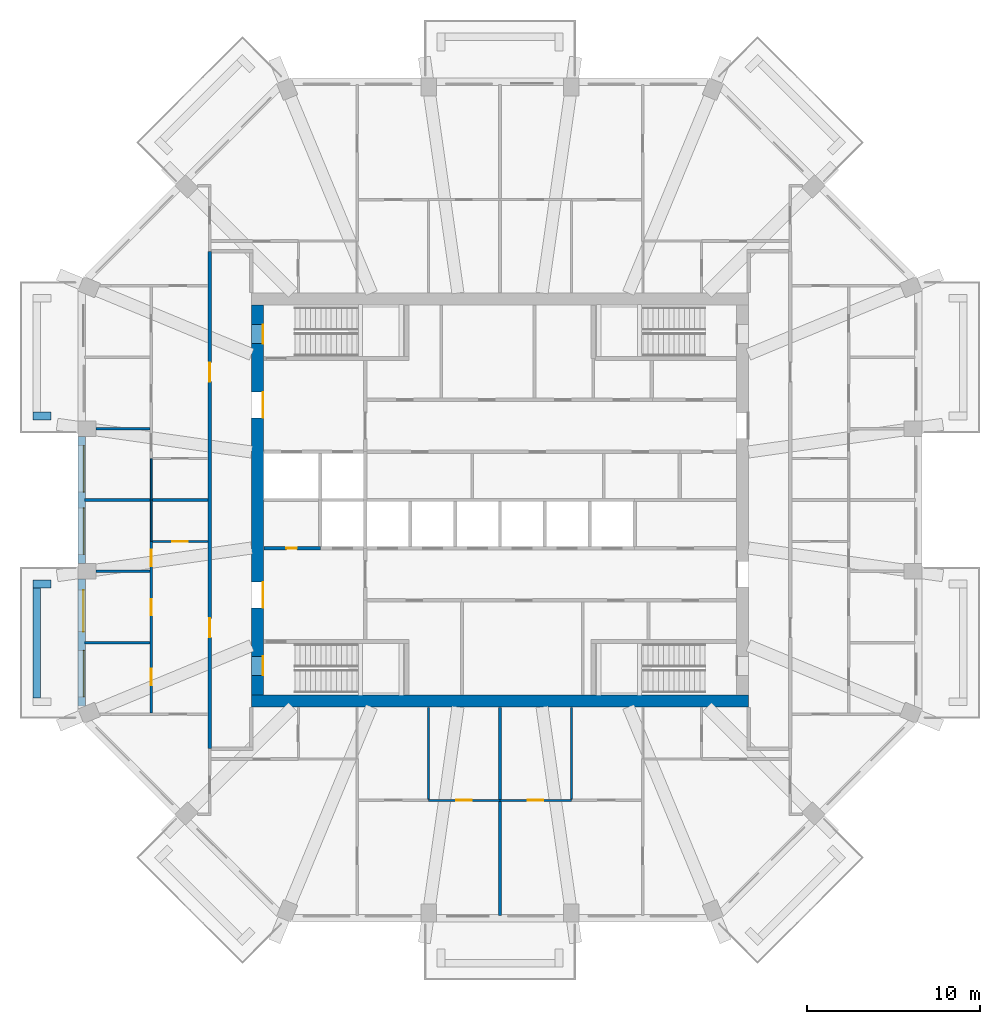
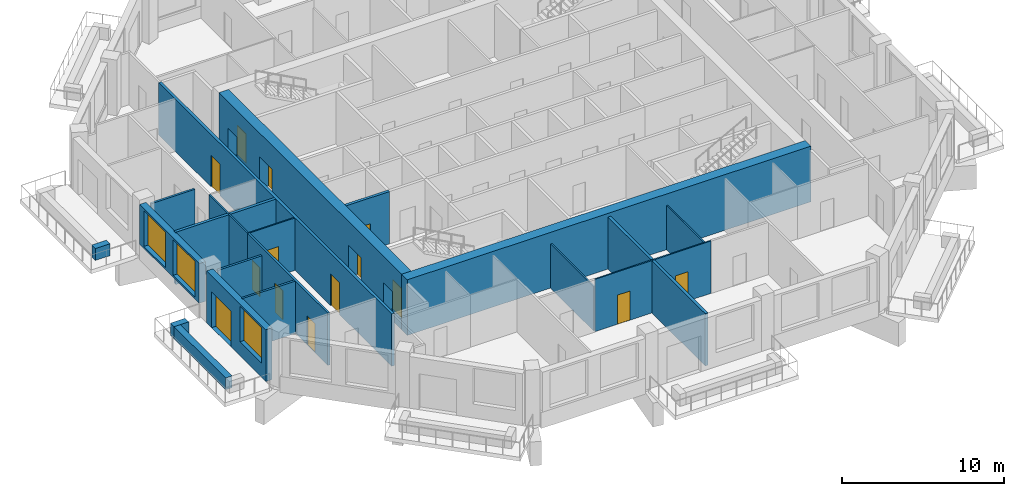
# One storey, part 3 of 12: 22 walls, 14 doors, 3 windows, 17 openings.
"""IFC4 building model written with IfcOpenShell, lengths in metres."""

from ifc_helpers import new_model, si_unit, direction, frame, frame_2d, origin, place, context, subcontext, project, spatial, rectangle, extrude, material, layer, layer_set, type_object, element, fill, save


model = new_model("IFC4")

# Units and contexts
model_context = context("Model", 3, precision=1e-05, world=origin(), true_north=direction((0.0, 1.0)))
body_context = subcontext(model_context, "Body", "Model", "MODEL_VIEW")
ifc_project = project(units=[si_unit("LENGTHUNIT", "METRE"), si_unit("AREAUNIT", "SQUARE_METRE"), si_unit("VOLUMEUNIT", "CUBIC_METRE"), si_unit("PLANEANGLEUNIT", "RADIAN"), si_unit("MASSUNIT", "GRAM", prefix="KILO")], contexts=[model_context])

# Site, building, storey
site_placement = place(None, origin())
site = spatial("IfcSite", under=ifc_project, at=site_placement, CompositionType="ELEMENT")
building_placement = place(site_placement, origin())
building = spatial("IfcBuilding", under=site, at=building_placement, Name="Msitu Wima Residences", CompositionType="ELEMENT")
storey_placement = place(building_placement, frame((0.0, 0.0, 162.300048828125)))
storey = spatial("IfcBuildingStorey", under=building, at=storey_placement, Name="L37", CompositionType="ELEMENT", Elevation=162.300048828125)

# Walls
ifc_material_1 = material(Name="Facing brick")
ifc_layer_1 = layer(ifc_material_1, 0.06494140625, Name="Facing brick")
ifc_material_2 = material(Name="Concrete C40/50", Category="concrete")
ifc_layer_2 = layer(ifc_material_2, 0.156005859375, Name="Concrete C40/50")
ifc_material_3 = material(Name="Waterproofing membrane")
ifc_layer_3 = layer(ifc_material_3, 0.00390625, Name="Waterproofing membrane")
ifc_material_4 = material(Name="Planting soil and planting")
ifc_layer_4 = layer(ifc_material_4, 0.22509765625, Name="Planting soil and planting")
ifc_layer_set_1 = layer_set([ifc_layer_1, ifc_layer_2, ifc_layer_3, ifc_layer_4], Name="Concrete C40/50")
wall_type_1 = type_object("IfcWallType", Name="Balcony planter PLANTER PL450", PredefinedType="USERDEFINED", material=ifc_layer_set_1)
wall_1_placement = place(storey_placement, frame((-26.0, 4.8623046875, 0.0), z_axis=(0.0, 0.0, 1.0), x_axis=(-1.0, 0.0, 0.0)))
element("IfcWall", 1, at=wall_1_placement, inside=storey, type_object=wall_type_1, Name="Balcony planter W0 L37", ObjectType="PLANTER", PredefinedType="USERDEFINED", context=body_context, shape_type="SweptSolid", body=[
    extrude(rectangle(XDim=1.050048828125, YDim=0.449951171875, at=frame_2d((0.52490234375, 0.0))), origin(), (0.0, 0.0, 1.0), 0.89990234375),
])
wall_2_placement = place(storey_placement, frame((-26.824951171875, -5.087158203125, 0.0), z_axis=(0.0, 0.0, 1.0), x_axis=(0.0, -1.0, 0.0)))
element("IfcWall", 2, at=wall_2_placement, inside=storey, type_object=wall_type_1, Name="Balcony planter W2 L37", ObjectType="PLANTER", PredefinedType="USERDEFINED", context=body_context, shape_type="SweptSolid", body=[
    extrude(rectangle(XDim=6.37451171875, YDim=0.449951171875, at=frame_2d((3.187255859375, 0.0))), origin(), (0.0, 0.0, 1.0), 0.89990234375),
])
wall_3_placement = place(storey_placement, frame((-26.0, -4.8623046875, 0.0), z_axis=(0.0, 0.0, 1.0), x_axis=(-1.0, 0.0, 0.0)))
element("IfcWall", 3, at=wall_3_placement, inside=storey, type_object=wall_type_1, Name="Balcony planter W2 L37", ObjectType="PLANTER", PredefinedType="USERDEFINED", context=body_context, shape_type="SweptSolid", body=[
    extrude(rectangle(XDim=1.050048828125, YDim=0.449951171875, at=frame_2d((0.52490234375, 0.0))), origin(), (0.0, 0.0, 1.0), 0.89990234375),
])

# Wall, openings, windows
ifc_material_5 = material(Name="Brick (red buff mix)", Category="masonry")
ifc_layer_5 = layer(ifc_material_5, 0.449951171875)
ifc_layer_set_2 = layer_set([ifc_layer_5], Name="Brick (red buff mix)")
wall_type_2 = type_object("IfcWallType", Name="Brick infill wall BW450", PredefinedType="SOLIDWALL", material=ifc_layer_set_2)
wall_4_placement = place(storey_placement, frame((-24.22509765625, 3.687255859375, 0.89990234375), z_axis=(0.0, 0.0, 1.0), x_axis=(0.0, -1.0, 0.0)))
wall_4 = element("IfcWall", 4, at=wall_4_placement, inside=storey, type_object=wall_type_2, Name="Brick infill wall L37 W1", PredefinedType="SOLIDWALL", context=body_context, shape_type="SweptSolid", body=[
    extrude(rectangle(XDim=7.37451171875, YDim=0.449951171875, at=frame_2d((3.687255859375, 0.0))), origin(), (0.0, 0.0, 1.0), 3.0),
])
opening_1_placement = place(wall_4_placement, frame((0.537353515625, 0.0, 0.14990234375)))
opening_1 = element("IfcOpeningElement", 5, at=opening_1_placement, cuts=wall_4, Name="Opening W37.028", PredefinedType="OPENING", context=body_context, shape_type="SweptSolid", body=[
    extrude(rectangle(XDim=2.699951171875, YDim=2.699951171875, at=frame_2d((1.35009765625, 1.35009765625))), frame((0.0, 0.23486328125, 0.0), z_axis=(0.0, -1.0, 0.0), x_axis=(1.0, 0.0, 0.0)), (0.0, 0.0, 1.0), 0.469970703125),
])
opening_2_placement = place(wall_4_placement, frame((4.13720703125, 0.0, 0.14990234375)))
opening_2 = element("IfcOpeningElement", 6, at=opening_2_placement, cuts=wall_4, Name="Opening W37.029", PredefinedType="OPENING", context=body_context, shape_type="SweptSolid", body=[
    extrude(rectangle(XDim=2.699951171875, YDim=2.699951171875, at=frame_2d((1.35009765625, 1.35009765625))), frame((0.0, 0.23486328125, 0.0), z_axis=(0.0, -1.0, 0.0), x_axis=(1.0, 0.0, 0.0)), (0.0, 0.0, 1.0), 0.469970703125),
])
ifc_material_6 = material(Name="Anodised aluminium, bronze finish, clear low-emissivity double glazing", Category="aluminium")
window_type = type_object("IfcWindowType", Name="Window W2700x2700", PartitioningType="DOUBLE_PANEL_VERTICAL", PredefinedType="WINDOW", material=ifc_material_6)
window_1_placement = place(opening_1_placement, origin())
window_1 = element("IfcWindow", 7, at=window_1_placement, inside=storey, type_object=window_type, Name="Window L37 W1.1", OverallHeight=2.699951171875, OverallWidth=2.699951171875, PartitioningType="SINGLE_PANEL", PredefinedType="WINDOW", context=body_context, shape_type="SweptSolid", body=[
    extrude(rectangle(XDim=2.699951171875, YDim=2.699951171875, at=frame_2d((1.35009765625, 1.35009765625))), frame((0.0, 0.135009765625, 0.0), z_axis=(0.0, -1.0, 0.0), x_axis=(1.0, 0.0, 0.0)), (0.0, 0.0, 1.0), 0.06005859375),
])
fill(opening_1, window_1)
window_2_placement = place(opening_2_placement, origin())
window_2 = element("IfcWindow", 8, at=window_2_placement, inside=storey, type_object=window_type, Name="Window L37 W1.2", OverallHeight=2.699951171875, OverallWidth=2.699951171875, PartitioningType="SINGLE_PANEL", PredefinedType="WINDOW", context=body_context, shape_type="SweptSolid", body=[
    extrude(rectangle(XDim=2.699951171875, YDim=2.699951171875, at=frame_2d((1.35009765625, 1.35009765625))), frame((0.0, 0.135009765625, 0.0), z_axis=(0.0, -1.0, 0.0), x_axis=(1.0, 0.0, 0.0)), (0.0, 0.0, 1.0), 0.06005859375),
])
fill(opening_2, window_2)

# Wall, openings, door, window
wall_5_placement = place(storey_placement, frame((-24.22509765625, -4.587158203125, 0.0), z_axis=(0.0, 0.0, 1.0), x_axis=(0.0, -1.0, 0.0)))
wall_5 = element("IfcWall", 9, at=wall_5_placement, inside=storey, type_object=wall_type_2, Name="Brick infill wall L37 W2", PredefinedType="SOLIDWALL", context=body_context, shape_type="SweptSolid", body=[
    extrude(rectangle(XDim=7.337646484375, YDim=0.449951171875, at=frame_2d((3.6689453125, 0.0))), origin(), (0.0, 0.0, 1.0), 3.89990234375),
])
opening_3_placement = place(wall_5_placement, frame((0.63427734375, 0.0, 0.0)))
opening_3 = element("IfcOpeningElement", 10, at=opening_3_placement, cuts=wall_5, Name="Opening D37.010", PredefinedType="OPENING", context=body_context, shape_type="SweptSolid", body=[
    extrude(rectangle(XDim=2.39990234375, YDim=2.699951171875, at=frame_2d((1.199951171875, 1.35009765625))), frame((0.0, 0.23486328125, 0.0), z_axis=(0.0, -1.0, 0.0), x_axis=(1.0, 0.0, 0.0)), (0.0, 0.0, 1.0), 0.469970703125),
])
opening_4_placement = place(wall_5_placement, frame((4.11865234375, 0.0, 1.050048828125)))
opening_4 = element("IfcOpeningElement", 11, at=opening_4_placement, cuts=wall_5, Name="Opening W37.030", PredefinedType="OPENING", context=body_context, shape_type="SweptSolid", body=[
    extrude(rectangle(XDim=2.699951171875, YDim=2.699951171875, at=frame_2d((1.35009765625, 1.35009765625))), frame((0.0, 0.23486328125, 0.0), z_axis=(0.0, -1.0, 0.0), x_axis=(1.0, 0.0, 0.0)), (0.0, 0.0, 1.0), 0.469970703125),
])
door_type_1 = type_object("IfcDoorType", Name="Balcony door D2400x2700", OperationType="SLIDING_TO_LEFT", PredefinedType="DOOR", material=ifc_material_6)
door_1_placement = place(opening_3_placement, origin())
door_1 = element("IfcDoor", 12, at=door_1_placement, inside=storey, type_object=door_type_1, Name="Balcony door L37 W2", OperationType="SINGLE_SWING_LEFT", OverallHeight=2.699951171875, OverallWidth=2.39990234375, PredefinedType="DOOR", context=body_context, shape_type="SweptSolid", body=[
    extrude(rectangle(XDim=2.39990234375, YDim=2.699951171875, at=frame_2d((1.199951171875, 1.35009765625))), frame((0.0, 0.1298828125, 0.0), z_axis=(0.0, -1.0, 0.0), x_axis=(1.0, 0.0, 0.0)), (0.0, 0.0, 1.0), 0.050048828125),
])
fill(opening_3, door_1)
window_3_placement = place(opening_4_placement, origin())
window_3 = element("IfcWindow", 13, at=window_3_placement, inside=storey, type_object=window_type, Name="Window L37 W2.2", OverallHeight=2.699951171875, OverallWidth=2.699951171875, PartitioningType="SINGLE_PANEL", PredefinedType="WINDOW", context=body_context, shape_type="SweptSolid", body=[
    extrude(rectangle(XDim=2.699951171875, YDim=2.699951171875, at=frame_2d((1.35009765625, 1.35009765625))), frame((0.0, 0.135009765625, 0.0), z_axis=(0.0, -1.0, 0.0), x_axis=(1.0, 0.0, 0.0)), (0.0, 0.0, 1.0), 0.06005859375),
])
fill(opening_4, window_3)

# Wall
ifc_material_7 = material(Name="Concrete C60/75", Category="concrete")
ifc_layer_6 = layer(ifc_material_7, 0.699951171875)
ifc_layer_set_3 = layer_set([ifc_layer_6], Name="Concrete C60/75")
wall_type_3 = type_object("IfcWallType", Name="Core wall CW700 C60/75", PredefinedType="SHEAR", material=ifc_layer_set_3)
wall_6_placement = place(storey_placement, frame((-14.39990234375, -11.64990234375, 0.0), z_axis=(0.0, 0.0, 1.0), x_axis=(1.0, 0.0, 0.0)))
element("IfcWall", 14, at=wall_6_placement, inside=storey, type_object=wall_type_3, Name="Core wall", PredefinedType="SHEAR", context=body_context, shape_type="SweptSolid", body=[
    extrude(rectangle(XDim=28.7998046875, YDim=0.699951171875, at=frame_2d((14.39990234375, 0.0))), origin(), (0.0, 0.0, 1.0), 4.199951171875),
])

# Wall, openings, doors
wall_7_placement = place(storey_placement, frame((-14.050048828125, -11.300048828125, 0.0), z_axis=(0.0, 0.0, 1.0), x_axis=(0.0, 1.0, 0.0)))
wall_7 = element("IfcWall", 15, at=wall_7_placement, inside=storey, type_object=wall_type_3, Name="Core wall", PredefinedType="SHEAR", context=body_context, shape_type="SweptSolid", body=[
    extrude(rectangle(XDim=22.60009765625, YDim=0.699951171875, at=frame_2d((11.300048828125, 0.0))), origin(), (0.0, 0.0, 1.0), 4.199951171875),
])
opening_5_placement = place(wall_7_placement, frame((20.35009765625, 0.0, 0.0)))
opening_5 = element("IfcOpeningElement", 16, at=opening_5_placement, cuts=wall_7, Name="Opening D37.080", PredefinedType="OPENING", context=body_context, shape_type="SweptSolid", body=[
    extrude(rectangle(XDim=1.10009765625, YDim=2.199951171875, at=frame_2d((0.550048828125, 1.10009765625))), frame((0.0, 0.35986328125, 0.0), z_axis=(0.0, -1.0, 0.0), x_axis=(1.0, 0.0, 0.0)), (0.0, 0.0, 1.0), 0.719970703125),
])
opening_6_placement = place(wall_7_placement, frame((1.14990234375, 0.0, 0.0)))
opening_6 = element("IfcOpeningElement", 17, at=opening_6_placement, cuts=wall_7, Name="Opening D37.082", PredefinedType="OPENING", context=body_context, shape_type="SweptSolid", body=[
    extrude(rectangle(XDim=1.10009765625, YDim=2.199951171875, at=frame_2d((0.550048828125, 1.10009765625))), frame((0.0, 0.35986328125, 0.0), z_axis=(0.0, -1.0, 0.0), x_axis=(1.0, 0.0, 0.0)), (0.0, 0.0, 1.0), 0.719970703125),
])
opening_7_placement = place(wall_7_placement, frame((16.050048828125, 0.0, 0.0)))
opening_7 = element("IfcOpeningElement", 18, at=opening_7_placement, cuts=wall_7, Name="Opening D37.060", PredefinedType="OPENING", context=body_context, shape_type="SweptSolid", body=[
    extrude(rectangle(XDim=1.5, YDim=2.39990234375, at=frame_2d((0.75, 1.199951171875))), frame((0.0, 0.35986328125, 0.0), z_axis=(0.0, -1.0, 0.0), x_axis=(1.0, 0.0, 0.0)), (0.0, 0.0, 1.0), 0.719970703125),
])
opening_8_placement = place(wall_7_placement, frame((5.050048828125, 0.0, 0.0)))
opening_8 = element("IfcOpeningElement", 19, at=opening_8_placement, cuts=wall_7, Name="Opening D37.062", PredefinedType="OPENING", context=body_context, shape_type="SweptSolid", body=[
    extrude(rectangle(XDim=1.5, YDim=2.39990234375, at=frame_2d((0.75, 1.199951171875))), frame((0.0, 0.35986328125, 0.0), z_axis=(0.0, -1.0, 0.0), x_axis=(1.0, 0.0, 0.0)), (0.0, 0.0, 1.0), 0.719970703125),
])
ifc_material_8 = material(Name="Steel framed glazed door, fire resisting", Category="steel")
door_type_2 = type_object("IfcDoorType", Name="Lobby door D07 1500x2400", OperationType="DOUBLE_DOOR_SINGLE_SWING", PredefinedType="DOOR", material=ifc_material_8)
door_2_placement = place(opening_7_placement, origin())
door_2 = element("IfcDoor", 20, at=door_2_placement, inside=storey, type_object=door_type_2, Name="Lobby door", OperationType="DOUBLE_DOOR_SINGLE_SWING", OverallHeight=2.39990234375, OverallWidth=1.5, PredefinedType="DOOR", context=body_context, shape_type="SweptSolid", body=[
    extrude(rectangle(XDim=1.5, YDim=2.39990234375, at=frame_2d((0.75, 1.199951171875))), frame((0.0, -0.294921875, 0.0), z_axis=(0.0, -1.0, 0.0), x_axis=(1.0, 0.0, 0.0)), (0.0, 0.0, 1.0), 0.050048828125),
])
fill(opening_7, door_2)
door_3_placement = place(opening_8_placement, origin())
door_3 = element("IfcDoor", 21, at=door_3_placement, inside=storey, type_object=door_type_2, Name="Lobby door", OperationType="DOUBLE_DOOR_SINGLE_SWING", OverallHeight=2.39990234375, OverallWidth=1.5, PredefinedType="DOOR", context=body_context, shape_type="SweptSolid", body=[
    extrude(rectangle(XDim=1.5, YDim=2.39990234375, at=frame_2d((0.75, 1.199951171875))), frame((0.0, -0.294921875, 0.0), z_axis=(0.0, -1.0, 0.0), x_axis=(1.0, 0.0, 0.0)), (0.0, 0.0, 1.0), 0.050048828125),
])
fill(opening_8, door_3)
ifc_material_9 = material(Name="Steel door, fire resisting, panic bar", Category="steel")
door_type_3 = type_object("IfcDoorType", Name="Stair door D06 1100x2200", OperationType="SINGLE_SWING_LEFT", PredefinedType="DOOR", material=ifc_material_9)
door_4_placement = place(opening_5_placement, origin())
door_4 = element("IfcDoor", 22, at=door_4_placement, inside=storey, type_object=door_type_3, Name="Stair door", OperationType="SINGLE_SWING_RIGHT", OverallHeight=2.199951171875, OverallWidth=1.10009765625, PredefinedType="DOOR", context=body_context, shape_type="SweptSolid", body=[
    extrude(rectangle(XDim=1.10009765625, YDim=2.199951171875, at=frame_2d((0.550048828125, 1.10009765625))), frame((0.0, -0.294921875, 0.0), z_axis=(0.0, -1.0, 0.0), x_axis=(1.0, 0.0, 0.0)), (0.0, 0.0, 1.0), 0.050048828125),
])
fill(opening_5, door_4)
door_5_placement = place(opening_6_placement, origin())
door_5 = element("IfcDoor", 23, at=door_5_placement, inside=storey, type_object=door_type_3, Name="Stair door", OperationType="SINGLE_SWING_LEFT", OverallHeight=2.199951171875, OverallWidth=1.10009765625, PredefinedType="DOOR", context=body_context, shape_type="SweptSolid", body=[
    extrude(rectangle(XDim=1.10009765625, YDim=2.199951171875, at=frame_2d((0.550048828125, 1.10009765625))), frame((0.0, -0.294921875, 0.0), z_axis=(0.0, -1.0, 0.0), x_axis=(1.0, 0.0, 0.0)), (0.0, 0.0, 1.0), 0.050048828125),
])
fill(opening_6, door_5)

ifc_material_10 = material(Name="Plaster")
ifc_layer_7 = layer(ifc_material_10, 0.011962890625, Name="Plaster")
ifc_material_11 = material(Name="Concrete blockwork", Category="masonry")
ifc_layer_8 = layer(ifc_material_11, 0.176025390625, Name="Concrete blockwork")
ifc_layer_9 = layer(ifc_material_10, 0.011962890625, Name="Plaster")
ifc_layer_set_4 = layer_set([ifc_layer_7, ifc_layer_8, ifc_layer_9], Name="Concrete blockwork")
wall_type_4 = type_object("IfcWallType", Name="Corridor wall FW200", PredefinedType="PARTITIONING", material=ifc_layer_set_4)
wall_8_placement = place(storey_placement, frame((-16.800048828125, -14.39990234375, 0.0), z_axis=(0.0, 0.0, 1.0), x_axis=(0.0, 1.0, 0.0)))
wall_8 = element("IfcWall", 24, at=wall_8_placement, inside=storey, type_object=wall_type_4, Name="Corridor wall", PredefinedType="PARTITIONING", context=body_context, shape_type="SweptSolid", body=[
    extrude(rectangle(XDim=28.7998046875, YDim=0.199951171875, at=frame_2d((14.39990234375, 0.0))), origin(), (0.0, 0.0, 1.0), 3.949951171875),
])
opening_9_placement = place(wall_8_placement, frame((21.25, 0.0, 0.0)))
opening_9 = element("IfcOpeningElement", 25, at=opening_9_placement, cuts=wall_8, Name="Opening D37.023", PredefinedType="OPENING", context=body_context, shape_type="SweptSolid", body=[
    extrude(rectangle(XDim=1.10009765625, YDim=2.39990234375, at=frame_2d((0.550048828125, 1.199951171875))), frame((0.0, 0.10986328125, 0.0), z_axis=(0.0, -1.0, 0.0), x_axis=(1.0, 0.0, 0.0)), (0.0, 0.0, 1.0), 0.219970703125),
])
opening_10_placement = place(wall_8_placement, frame((6.449951171875, 0.0, 0.0)))
opening_10 = element("IfcOpeningElement", 26, at=opening_10_placement, cuts=wall_8, Name="Opening D37.035", PredefinedType="OPENING", context=body_context, shape_type="SweptSolid", body=[
    extrude(rectangle(XDim=1.10009765625, YDim=2.39990234375, at=frame_2d((0.550048828125, 1.199951171875))), frame((0.0, 0.10986328125, 0.0), z_axis=(0.0, -1.0, 0.0), x_axis=(1.0, 0.0, 0.0)), (0.0, 0.0, 1.0), 0.219970703125),
])
ifc_material_12 = material(Name="Timber flush door, fire resisting, self-closing", Category="wood")
door_type_4 = type_object("IfcDoorType", Name="Flat entrance door D01 1100x2400", OperationType="SINGLE_SWING_LEFT", PredefinedType="DOOR", material=ifc_material_12)
door_6_placement = place(opening_9_placement, origin())
door_6 = element("IfcDoor", 27, at=door_6_placement, inside=storey, type_object=door_type_4, Name="Flat entrance door", OperationType="SINGLE_SWING_RIGHT", OverallHeight=2.39990234375, OverallWidth=1.10009765625, PredefinedType="DOOR", context=body_context, shape_type="SweptSolid", body=[
    extrude(rectangle(XDim=1.10009765625, YDim=2.39990234375, at=frame_2d((0.550048828125, 1.199951171875))), frame((0.0, 0.02490234375, 0.0), z_axis=(0.0, -1.0, 0.0), x_axis=(1.0, 0.0, 0.0)), (0.0, 0.0, 1.0), 0.050048828125),
])
fill(opening_9, door_6)
door_7_placement = place(opening_10_placement, origin())
door_7 = element("IfcDoor", 28, at=door_7_placement, inside=storey, type_object=door_type_4, Name="Flat entrance door", OperationType="SINGLE_SWING_LEFT", OverallHeight=2.39990234375, OverallWidth=1.10009765625, PredefinedType="DOOR", context=body_context, shape_type="SweptSolid", body=[
    extrude(rectangle(XDim=1.10009765625, YDim=2.39990234375, at=frame_2d((0.550048828125, 1.199951171875))), frame((0.0, 0.02490234375, 0.0), z_axis=(0.0, -1.0, 0.0), x_axis=(1.0, 0.0, 0.0)), (0.0, 0.0, 1.0), 0.050048828125),
])
fill(opening_10, door_7)

# Walls
ifc_layer_10 = layer(ifc_material_10, 0.011962890625, Name="Plaster")
ifc_layer_11 = layer(ifc_material_11, 0.1259765625, Name="Concrete blockwork")
ifc_layer_12 = layer(ifc_material_10, 0.011962890625, Name="Plaster")
ifc_layer_set_5 = layer_set([ifc_layer_10, ifc_layer_11, ifc_layer_12], Name="Concrete blockwork")
wall_type_5 = type_object("IfcWallType", Name="Partition PW150", PredefinedType="PARTITIONING", material=ifc_layer_set_5)
wall_9_placement = place(storey_placement, frame((-24.054931640625, -8.2744140625, 0.0), z_axis=(0.0, 0.0, 1.0), x_axis=(1.0, 0.0, 0.0)))
element("IfcWall", 29, at=wall_9_placement, inside=storey, type_object=wall_type_5, Name="Partition", PredefinedType="PARTITIONING", context=body_context, shape_type="SweptSolid", body=[
    extrude(rectangle(XDim=3.780029296875, YDim=0.14990234375, at=frame_2d((1.89013671875, 0.0))), origin(), (0.0, 0.0, 1.0), 3.949951171875),
])
for number, where, z_axis, x_axis, name in (
    (30, (-23.39990234375, -4.13720703125, 0.0), (0.0, 0.0, 1.0), (1.0, 0.0, 0.0), "Partition"),
    (31, (-23.39990234375, 4.13720703125, 0.0), (0.0, 0.0, 1.0), (1.0, 0.0, 0.0), "Partition"),
):
    element("IfcWall", number, at=place(storey_placement, frame(where, z_axis=z_axis, x_axis=x_axis)), inside=storey, type_object=wall_type_5, Name=name, PredefinedType="PARTITIONING", context=body_context, shape_type="SweptSolid", body=[
        extrude(rectangle(XDim=3.125, YDim=0.14990234375, at=frame_2d((1.5625, 0.0))), origin(), (0.0, 0.0, 1.0), 3.349853515625),
    ])

# Wall, openings, doors
wall_10_placement = place(storey_placement, frame((-20.199951171875, -12.336669921875, 0.0), z_axis=(0.0, 0.0, 1.0), x_axis=(0.0, 1.0, 0.0)))
wall_10 = element("IfcWall", 32, at=wall_10_placement, inside=storey, type_object=wall_type_5, Name="Partition", PredefinedType="PARTITIONING", context=body_context, shape_type="SweptSolid", body=[
    extrude(rectangle(XDim=9.936767578125, YDim=0.14990234375, at=frame_2d((4.96826171875, 0.0))), origin(), (0.0, 0.0, 1.0), 3.949951171875),
])
opening_11_placement = place(wall_10_placement, frame((8.5, 0.0, 0.0)))
opening_11 = element("IfcOpeningElement", 33, at=opening_11_placement, cuts=wall_10, Name="Opening D37.039", PredefinedType="OPENING", context=body_context, shape_type="SweptSolid", body=[
    extrude(rectangle(XDim=0.949951171875, YDim=2.199951171875, at=frame_2d((0.47509765625, 1.10009765625))), frame((0.0, 0.0849609375, 0.0), z_axis=(0.0, -1.0, 0.0), x_axis=(1.0, 0.0, 0.0)), (0.0, 0.0, 1.0), 0.169921875),
])
opening_12_placement = place(wall_10_placement, frame((5.64990234375, 0.0, 0.0)))
opening_12 = element("IfcOpeningElement", 34, at=opening_12_placement, cuts=wall_10, Name="Opening D37.040", PredefinedType="OPENING", context=body_context, shape_type="SweptSolid", body=[
    extrude(rectangle(XDim=0.949951171875, YDim=2.199951171875, at=frame_2d((0.47509765625, 1.10009765625))), frame((0.0, 0.0849609375, 0.0), z_axis=(0.0, -1.0, 0.0), x_axis=(1.0, 0.0, 0.0)), (0.0, 0.0, 1.0), 0.169921875),
])
opening_13_placement = place(wall_10_placement, frame((1.60009765625, 0.0, 0.0)))
opening_13 = element("IfcOpeningElement", 35, at=opening_13_placement, cuts=wall_10, Name="Opening D37.041", PredefinedType="OPENING", context=body_context, shape_type="SweptSolid", body=[
    extrude(rectangle(XDim=0.949951171875, YDim=2.199951171875, at=frame_2d((0.47509765625, 1.10009765625))), frame((0.0, 0.0849609375, 0.0), z_axis=(0.0, -1.0, 0.0), x_axis=(1.0, 0.0, 0.0)), (0.0, 0.0, 1.0), 0.169921875),
])
ifc_material_13 = material(Name="Timber flush door", Category="wood")
door_type_5 = type_object("IfcDoorType", Name="Room door D12 950x2200", OperationType="SINGLE_SWING_LEFT", PredefinedType="DOOR", material=ifc_material_13)
door_8_placement = place(opening_11_placement, origin())
door_8 = element("IfcDoor", 36, at=door_8_placement, inside=storey, type_object=door_type_5, Name="Room door", OperationType="SINGLE_SWING_LEFT", OverallHeight=2.199951171875, OverallWidth=0.949951171875, PredefinedType="DOOR", context=body_context, shape_type="SweptSolid", body=[
    extrude(rectangle(XDim=0.949951171875, YDim=2.199951171875, at=frame_2d((0.47509765625, 1.10009765625))), frame((0.0, 0.02490234375, 0.0), z_axis=(0.0, -1.0, 0.0), x_axis=(1.0, 0.0, 0.0)), (0.0, 0.0, 1.0), 0.050048828125),
])
fill(opening_11, door_8)
door_9_placement = place(opening_12_placement, origin())
door_9 = element("IfcDoor", 37, at=door_9_placement, inside=storey, type_object=door_type_5, Name="Room door", OperationType="SINGLE_SWING_LEFT", OverallHeight=2.199951171875, OverallWidth=0.949951171875, PredefinedType="DOOR", context=body_context, shape_type="SweptSolid", body=[
    extrude(rectangle(XDim=0.949951171875, YDim=2.199951171875, at=frame_2d((0.47509765625, 1.10009765625))), frame((0.0, 0.02490234375, 0.0), z_axis=(0.0, -1.0, 0.0), x_axis=(1.0, 0.0, 0.0)), (0.0, 0.0, 1.0), 0.050048828125),
])
fill(opening_12, door_9)
door_10_placement = place(opening_13_placement, origin())
door_10 = element("IfcDoor", 38, at=door_10_placement, inside=storey, type_object=door_type_5, Name="Room door", OperationType="SINGLE_SWING_RIGHT", OverallHeight=2.199951171875, OverallWidth=0.949951171875, PredefinedType="DOOR", context=body_context, shape_type="SweptSolid", body=[
    extrude(rectangle(XDim=0.949951171875, YDim=2.199951171875, at=frame_2d((0.47509765625, 1.10009765625))), frame((0.0, 0.02490234375, 0.0), z_axis=(0.0, -1.0, 0.0), x_axis=(1.0, 0.0, 0.0)), (0.0, 0.0, 1.0), 0.050048828125),
])
fill(opening_13, door_10)

# Walls
ifc_layer_13 = layer(ifc_material_10, 0.011962890625, Name="Plaster")
ifc_material_14 = material(Name="Dense concrete blockwork", Category="masonry")
ifc_layer_14 = layer(ifc_material_14, 0.176025390625, Name="Dense concrete blockwork")
ifc_layer_15 = layer(ifc_material_10, 0.011962890625, Name="Plaster")
ifc_layer_set_6 = layer_set([ifc_layer_13, ifc_layer_14, ifc_layer_15], Name="Dense concrete blockwork")
wall_type_6 = type_object("IfcWallType", Name="Party wall PW200", PredefinedType="PARTITIONING", material=ifc_layer_set_6)
wall_11_placement = place(storey_placement, frame((-24.054931640625, 0.0, 0.0), z_axis=(0.0, 0.0, 1.0), x_axis=(1.0, 0.0, 0.0)))
element("IfcWall", 39, at=wall_11_placement, inside=storey, type_object=wall_type_6, Name="Party wall", PredefinedType="PARTITIONING", context=body_context, shape_type="SweptSolid", body=[
    extrude(rectangle(XDim=7.155029296875, YDim=0.199951171875, at=frame_2d((3.57763671875, 0.0))), origin(), (0.0, 0.0, 1.0), 3.949951171875),
])
wall_12_placement = place(storey_placement, frame((0.0, -24.054931640625, 0.0), z_axis=(0.0, 0.0, 1.0), x_axis=(0.0, 1.0, 0.0)))
element("IfcWall", 40, at=wall_12_placement, inside=storey, type_object=wall_type_6, Name="Party wall", PredefinedType="PARTITIONING", context=body_context, shape_type="SweptSolid", body=[
    extrude(rectangle(XDim=12.02490234375, YDim=0.199951171875, at=frame_2d((6.012451171875, 0.0))), origin(), (0.0, 0.0, 1.0), 3.949951171875),
])

# Wall, opening, door
ifc_layer_16 = layer(ifc_material_10, 0.011962890625, Name="Plaster")
ifc_material_15 = material(Name="Reinforced concrete blockwork", Category="masonry")
ifc_layer_17 = layer(ifc_material_15, 0.176025390625, Name="Reinforced concrete blockwork")
ifc_layer_18 = layer(ifc_material_10, 0.011962890625, Name="Plaster")
ifc_layer_set_7 = layer_set([ifc_layer_16, ifc_layer_17, ifc_layer_18], Name="Reinforced concrete blockwork")
wall_type_7 = type_object("IfcWallType", Name="Plant and riser wall PL200", PredefinedType="PARTITIONING", material=ifc_layer_set_7)
wall_13_placement = place(storey_placement, frame((-13.669921875, -2.800048828125, 0.0), z_axis=(0.0, 0.0, 1.0), x_axis=(1.0, 0.0, 0.0)))
wall_13 = element("IfcWall", 41, at=wall_13_placement, inside=storey, type_object=wall_type_7, Name="Plant and riser wall", PredefinedType="PARTITIONING", context=body_context, shape_type="SweptSolid", body=[
    extrude(rectangle(XDim=3.27001953125, YDim=0.199951171875, at=frame_2d((1.635009765625, 0.0))), origin(), (0.0, 0.0, 1.0), 3.949951171875),
])
opening_14_placement = place(wall_13_placement, frame((1.300048828125, 0.0, 0.0)))
opening_14 = element("IfcOpeningElement", 42, at=opening_14_placement, cuts=wall_13, Name="Opening D37.079", PredefinedType="OPENING", context=body_context, shape_type="SweptSolid", body=[
    extrude(rectangle(XDim=0.60009765625, YDim=2.0, at=frame_2d((0.300048828125, 1.0))), frame((0.0, 0.10986328125, 0.0), z_axis=(0.0, -1.0, 0.0), x_axis=(1.0, 0.0, 0.0)), (0.0, 0.0, 1.0), 0.219970703125),
])
ifc_material_16 = material(Name="Steel access door, fire resisting", Category="steel")
door_type_6 = type_object("IfcDoorType", Name="Riser access door D08 600x2000", OperationType="SINGLE_SWING_LEFT", PredefinedType="DOOR", material=ifc_material_16)
door_11_placement = place(opening_14_placement, origin())
door_11 = element("IfcDoor", 43, at=door_11_placement, inside=storey, type_object=door_type_6, Name="Riser access door", OperationType="SINGLE_SWING_RIGHT", OverallHeight=2.0, OverallWidth=0.60009765625, PredefinedType="DOOR", context=body_context, shape_type="SweptSolid", body=[
    extrude(rectangle(XDim=0.60009765625, YDim=2.0, at=frame_2d((0.300048828125, 1.0))), frame((0.0, 0.02490234375, 0.0), z_axis=(0.0, -1.0, 0.0), x_axis=(1.0, 0.0, 0.0)), (0.0, 0.0, 1.0), 0.050048828125),
])
fill(opening_14, door_11)

# Wall
ifc_material_17 = material(Name="Ceramic tiles")
ifc_layer_19 = layer(ifc_material_17, 0.008056640625, Name="Ceramic tiles")
ifc_material_18 = material(Name="Moisture-resistant board")
ifc_layer_20 = layer(ifc_material_18, 0.012451171875, Name="Moisture-resistant board")
ifc_material_19 = material(Name="Light-gauge stud framing with mineral wool")
ifc_layer_21 = layer(ifc_material_19, 0.06689453125, Name="Light-gauge stud framing with mineral wool")
ifc_layer_22 = layer(ifc_material_18, 0.012451171875, Name="Moisture-resistant board")
ifc_layer_set_8 = layer_set([ifc_layer_19, ifc_layer_20, ifc_layer_21, ifc_layer_22], Name="Light-gauge stud framing with mineral wool")
wall_type_8 = type_object("IfcWallType", Name="Wet wall PW100", PredefinedType="PARTITIONING", material=ifc_layer_set_8)
wall_14_placement = place(storey_placement, frame((-20.199951171875, -2.39990234375, 0.0), z_axis=(0.0, 0.0, 1.0), x_axis=(0.0, 1.0, 0.0)))
element("IfcWall", 44, at=wall_14_placement, inside=storey, type_object=wall_type_8, Name="Wet wall", PredefinedType="PARTITIONING", context=body_context, shape_type="SweptSolid", body=[
    extrude(rectangle(XDim=2.39990234375, YDim=0.10009765625, at=frame_2d((1.199951171875, 0.0))), origin(), (0.0, 0.0, 1.0), 3.949951171875),
])

# Wall, opening, door
wall_15_placement = place(storey_placement, frame((-20.125, -2.39990234375, 0.0), z_axis=(0.0, 0.0, 1.0), x_axis=(1.0, 0.0, 0.0)))
wall_15 = element("IfcWall", 45, at=wall_15_placement, inside=storey, type_object=wall_type_8, Name="Wet wall", PredefinedType="PARTITIONING", context=body_context, shape_type="SweptSolid", body=[
    extrude(rectangle(XDim=3.22509765625, YDim=0.10009765625, at=frame_2d((1.612548828125, 0.0))), origin(), (0.0, 0.0, 1.0), 3.949951171875),
])
opening_15_placement = place(wall_15_placement, frame((1.14990234375, 0.0, 0.0)))
opening_15 = element("IfcOpeningElement", 46, at=opening_15_placement, cuts=wall_15, Name="Opening D37.036", PredefinedType="OPENING", context=body_context, shape_type="SweptSolid", body=[
    extrude(rectangle(XDim=0.89990234375, YDim=2.199951171875, at=frame_2d((0.449951171875, 1.10009765625))), frame((0.0, 0.06005859375, 0.0), z_axis=(0.0, -1.0, 0.0), x_axis=(1.0, 0.0, 0.0)), (0.0, 0.0, 1.0), 0.1201171875),
])
ifc_material_20 = material(Name="Timber flush door, moisture resistant", Category="wood")
door_type_7 = type_object("IfcDoorType", Name="Bathroom door D03 900x2200", OperationType="SINGLE_SWING_LEFT", PredefinedType="DOOR", material=ifc_material_20)
door_12_placement = place(opening_15_placement, origin())
door_12 = element("IfcDoor", 47, at=door_12_placement, inside=storey, type_object=door_type_7, Name="Bathroom door", OperationType="SINGLE_SWING_LEFT", OverallHeight=2.199951171875, OverallWidth=0.89990234375, PredefinedType="DOOR", context=body_context, shape_type="SweptSolid", body=[
    extrude(rectangle(XDim=0.89990234375, YDim=2.199951171875, at=frame_2d((0.449951171875, 1.10009765625))), frame((0.0, 0.02490234375, 0.0), z_axis=(0.0, -1.0, 0.0), x_axis=(1.0, 0.0, 0.0)), (0.0, 0.0, 1.0), 0.050048828125),
])
fill(opening_15, door_12)

# Walls
wall_16_placement = place(storey_placement, frame((-20.199951171875, 0.0, 0.0), z_axis=(0.0, 0.0, 1.0), x_axis=(0.0, 1.0, 0.0)))
element("IfcWall", 48, at=wall_16_placement, inside=storey, type_object=wall_type_8, Name="Wet wall", PredefinedType="PARTITIONING", context=body_context, shape_type="SweptSolid", body=[
    extrude(rectangle(XDim=2.39990234375, YDim=0.10009765625, at=frame_2d((1.199951171875, 0.0))), origin(), (0.0, 0.0, 1.0), 3.949951171875),
])
wall_17_placement = place(storey_placement, frame((-4.13720703125, -17.324951171875, 0.0), z_axis=(0.0, 0.0, 1.0), x_axis=(0.0, 1.0, 0.0)))
element("IfcWall", 49, at=wall_17_placement, inside=storey, type_object=wall_type_8, Name="Wet wall", PredefinedType="PARTITIONING", context=body_context, shape_type="SweptSolid", body=[
    extrude(rectangle(XDim=5.294921875, YDim=0.10009765625, at=frame_2d((2.6474609375, 0.0))), origin(), (0.0, 0.0, 1.0), 3.349853515625),
])

# Wall, opening, door
wall_18_placement = place(storey_placement, frame((-4.13720703125, -17.39990234375, 0.0), z_axis=(0.0, 0.0, 1.0), x_axis=(1.0, 0.0, 0.0)))
wall_18 = element("IfcWall", 50, at=wall_18_placement, inside=storey, type_object=wall_type_8, Name="Wet wall", PredefinedType="PARTITIONING", context=body_context, shape_type="SweptSolid", body=[
    extrude(rectangle(XDim=4.13720703125, YDim=0.10009765625, at=frame_2d((2.068603515625, 0.0))), origin(), (0.0, 0.0, 1.0), 3.949951171875),
])
opening_16_placement = place(wall_18_placement, frame((1.60009765625, 0.0, 0.0)))
opening_16 = element("IfcOpeningElement", 51, at=opening_16_placement, cuts=wall_18, Name="Opening D37.046", PredefinedType="OPENING", context=body_context, shape_type="SweptSolid", body=[
    extrude(rectangle(XDim=0.89990234375, YDim=2.199951171875, at=frame_2d((0.449951171875, 1.10009765625))), frame((0.0, 0.06005859375, 0.0), z_axis=(0.0, -1.0, 0.0), x_axis=(1.0, 0.0, 0.0)), (0.0, 0.0, 1.0), 0.1201171875),
])
door_13_placement = place(opening_16_placement, origin())
door_13 = element("IfcDoor", 52, at=door_13_placement, inside=storey, type_object=door_type_7, Name="Bathroom door", OperationType="SINGLE_SWING_RIGHT", OverallHeight=2.199951171875, OverallWidth=0.89990234375, PredefinedType="DOOR", context=body_context, shape_type="SweptSolid", body=[
    extrude(rectangle(XDim=0.89990234375, YDim=2.199951171875, at=frame_2d((0.449951171875, 1.10009765625))), frame((0.0, 0.02490234375, 0.0), z_axis=(0.0, -1.0, 0.0), x_axis=(1.0, 0.0, 0.0)), (0.0, 0.0, 1.0), 0.050048828125),
])
fill(opening_16, door_13)

wall_19_placement = place(storey_placement, frame((0.0, -17.39990234375, 0.0), z_axis=(0.0, 0.0, 1.0), x_axis=(1.0, 0.0, 0.0)))
wall_19 = element("IfcWall", 53, at=wall_19_placement, inside=storey, type_object=wall_type_8, Name="Wet wall", PredefinedType="PARTITIONING", context=body_context, shape_type="SweptSolid", body=[
    extrude(rectangle(XDim=4.13720703125, YDim=0.10009765625, at=frame_2d((2.068603515625, 0.0))), origin(), (0.0, 0.0, 1.0), 3.949951171875),
])
opening_17_placement = place(wall_19_placement, frame((1.60009765625, 0.0, 0.0)))
opening_17 = element("IfcOpeningElement", 54, at=opening_17_placement, cuts=wall_19, Name="Opening D37.058", PredefinedType="OPENING", context=body_context, shape_type="SweptSolid", body=[
    extrude(rectangle(XDim=0.89990234375, YDim=2.199951171875, at=frame_2d((0.449951171875, 1.10009765625))), frame((0.0, 0.06005859375, 0.0), z_axis=(0.0, -1.0, 0.0), x_axis=(1.0, 0.0, 0.0)), (0.0, 0.0, 1.0), 0.1201171875),
])
door_14_placement = place(opening_17_placement, origin())
door_14 = element("IfcDoor", 55, at=door_14_placement, inside=storey, type_object=door_type_7, Name="Bathroom door", OperationType="SINGLE_SWING_LEFT", OverallHeight=2.199951171875, OverallWidth=0.89990234375, PredefinedType="DOOR", context=body_context, shape_type="SweptSolid", body=[
    extrude(rectangle(XDim=0.89990234375, YDim=2.199951171875, at=frame_2d((0.449951171875, 1.10009765625))), frame((0.0, 0.02490234375, 0.0), z_axis=(0.0, -1.0, 0.0), x_axis=(1.0, 0.0, 0.0)), (0.0, 0.0, 1.0), 0.050048828125),
])
fill(opening_17, door_14)

# Wall
wall_20_placement = place(storey_placement, frame((4.13720703125, -17.324951171875, 0.0), z_axis=(0.0, 0.0, 1.0), x_axis=(0.0, 1.0, 0.0)))
element("IfcWall", 56, at=wall_20_placement, inside=storey, type_object=wall_type_8, Name="Wet wall", PredefinedType="PARTITIONING", context=body_context, shape_type="SweptSolid", body=[
    extrude(rectangle(XDim=5.294921875, YDim=0.10009765625, at=frame_2d((2.6474609375, 0.0))), origin(), (0.0, 0.0, 1.0), 3.349853515625),
])

save(model, "model.ifc")
